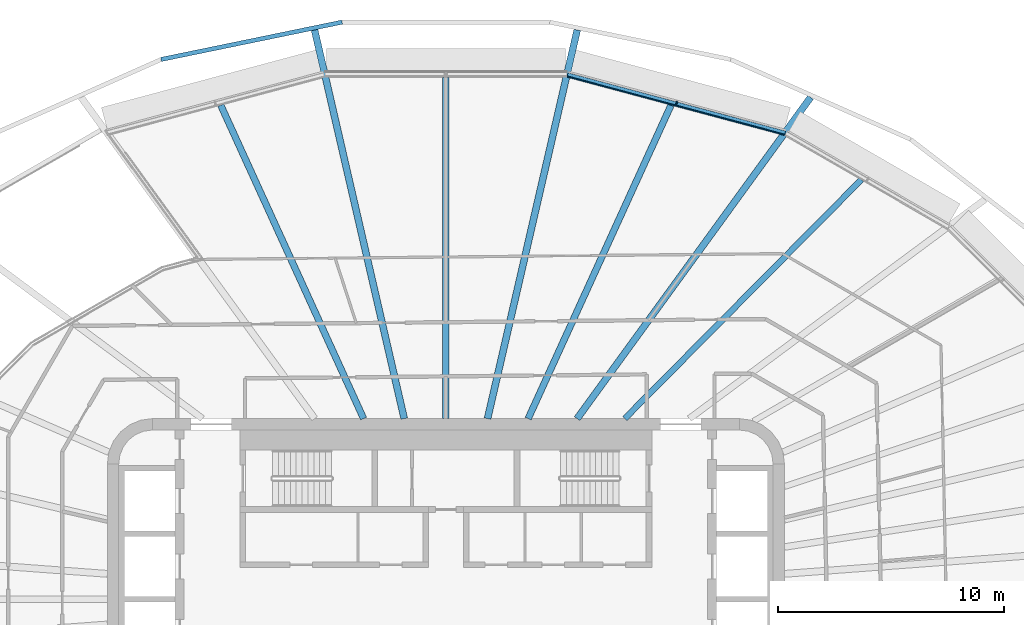
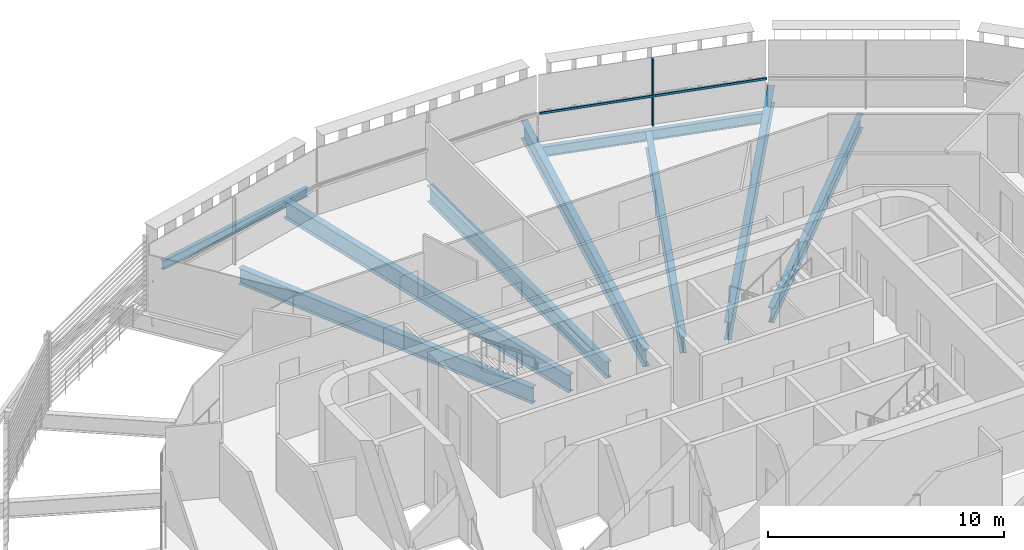
# One storey, part 6 of 23: 9 beams, 2 members, 1 element without a shape of its own.
"""IFC4 building model written with IfcOpenShell, lengths in metres."""

import ifcopenshell
import ifcopenshell.guid

model = None  # the IFC model being written
_history = None  # IfcOwnerHistory: only IFC2X3 demands one
_inside = {}  # id of a spatial element -> (the spatial element, [elements in it])
_under = {}  # id of a project, library or spatial element -> (it, [spatial elements below it])
_declared = {}  # id of a project -> (the project, [libraries it declares])
_typed = {}  # id of a type object -> (the type object, [elements of that type])
_made_of = {}  # id of a material, layer set ... -> (it, [elements and type objects made of it])


def new_model(schema):
    """Start an empty IFC model of exactly this schema.

    Asked for "IFC4X3", IfcOpenShell would pick the latest addendum, in which some entities
    have other attributes; the version numbers below select the first issue.
    IFC2X3 requires an IfcOwnerHistory on every rooted entity: one is made here for all.
    """
    global model, _history
    if schema == "IFC4X3":
        model = ifcopenshell.file(schema_version=(4, 3, 0, 0))
    else:
        model = ifcopenshell.file(schema=schema)
    _inside.clear()
    _under.clear()
    _declared.clear()
    _typed.clear()
    _made_of.clear()
    _history = None
    if model.schema == "IFC2X3":
        org = make("IfcOrganization", Name="unknown")
        user = make(
            "IfcPersonAndOrganization",
            ThePerson=make("IfcPerson", FamilyName="unknown"),
            TheOrganization=org,
        )
        app = make(
            "IfcApplication",
            ApplicationDeveloper=org,
            Version="unknown",
            ApplicationFullName="unknown",
            ApplicationIdentifier="unknown",
        )
        _history = make(
            "IfcOwnerHistory",
            OwningUser=user,
            OwningApplication=app,
            ChangeAction="ADDED",
            CreationDate=0,
        )
    return model


def make(cls, **values):
    """One entity of the class cls with the attributes given. An attribute that is None is left unset."""
    return model.create_entity(
        cls, **{name: value for name, value in values.items() if value is not None}
    )


def rooted(cls, **values):
    """An entity with a GlobalId (a new one), such as an element, a storey or a relation."""
    return make(cls, GlobalId=ifcopenshell.guid.new(), OwnerHistory=_history, **values)


def si_unit(unit_type, name, prefix=None):
    """IfcSIUnit, for example si_unit("LENGTHUNIT", "METRE", prefix="MILLI")."""
    return make("IfcSIUnit", UnitType=unit_type, Prefix=prefix, Name=name)


def assignment(units):
    """IfcUnitAssignment: the units of a project."""
    return None if units is None else make("IfcUnitAssignment", Units=units)


def point(xyz):
    """IfcCartesianPoint."""
    return None if xyz is None else make("IfcCartesianPoint", Coordinates=xyz)


def direction(xyz):
    """IfcDirection."""
    return None if xyz is None else make("IfcDirection", DirectionRatios=xyz)


def frame(location, z_axis=None, x_axis=None):
    """IfcAxis2Placement3D, a coordinate frame: its origin and axes. An axis left out is left unset."""
    return make(
        "IfcAxis2Placement3D",
        Location=point(location),
        Axis=direction(z_axis),
        RefDirection=direction(x_axis),
    )


def frame_2d(location, x_axis=None):
    """IfcAxis2Placement2D, a coordinate frame in the plane: its origin and x axis."""
    return make(
        "IfcAxis2Placement2D", Location=point(location), RefDirection=direction(x_axis)
    )


def origin():
    """The frame at (0, 0, 0) with its axes left unset."""
    return frame((0.0, 0.0, 0.0))


def origin_2d():
    """The frame at (0, 0) in the plane with its x axis left unset."""
    return frame_2d((0.0, 0.0))


def place(relative_to, where):
    """IfcLocalPlacement: puts the frame where relative to a parent placement (None: the world)."""
    return make(
        "IfcLocalPlacement", PlacementRelTo=relative_to, RelativePlacement=where
    )


def context(
    kind, dimensions, precision=None, world=None, true_north=None, identifier=None
):
    """IfcGeometricRepresentationContext, for example the 3D "Model" context."""
    return make(
        "IfcGeometricRepresentationContext",
        ContextIdentifier=identifier,
        ContextType=kind,
        CoordinateSpaceDimension=dimensions,
        Precision=precision,
        WorldCoordinateSystem=world,
        TrueNorth=true_north,
    )


def subcontext(parent, identifier, kind, view, scale=None):
    """IfcGeometricRepresentationSubContext, for example "Body" below "Model"."""
    return make(
        "IfcGeometricRepresentationSubContext",
        ContextIdentifier=identifier,
        ContextType=kind,
        ParentContext=parent,
        TargetScale=scale,
        TargetView=view,
    )


def project(units=None, contexts=None):
    """IfcProject with its units and contexts."""
    return rooted(
        "IfcProject",
        Name="project",
        RepresentationContexts=contexts,
        UnitsInContext=assignment(units),
    )


def spatial(cls, under=None, at=None, **own):
    """A site, building, storey or space (cls), placed at a placement, below another one or the project."""
    s = rooted(cls, ObjectPlacement=at, **own)
    if under is not None:
        _under.setdefault(under.id(), (under, []))[1].append(s)
    return s


def profile(cls, at=None, kind="AREA", **sizes):
    """A parametric profile (cls). Its sizes go by their IFC names, for example OverallWidth=200.0."""
    return make(cls, ProfileType=kind, Position=at, **sizes)


def rectangle(**sizes):
    """IfcRectangleProfileDef."""
    return profile("IfcRectangleProfileDef", **sizes)


def i_section(**sizes):
    """IfcIShapeProfileDef."""
    return profile("IfcIShapeProfileDef", **sizes)


def extrude(swept, where, along, depth):
    """IfcExtrudedAreaSolid: the profile swept, set in the frame where, extruded along a direction by depth."""
    return make(
        "IfcExtrudedAreaSolid",
        SweptArea=swept,
        Position=where,
        ExtrudedDirection=direction(along),
        Depth=depth,
    )


def shape(context_of_items, identifier, shape_type, items):
    """IfcShapeRepresentation: the items that make up one representation, for example the "Body"."""
    return make(
        "IfcShapeRepresentation",
        ContextOfItems=context_of_items,
        RepresentationIdentifier=identifier,
        RepresentationType=shape_type,
        Items=items,
    )


def material(Name=None, Category=None):
    """IfcMaterial."""
    return make("IfcMaterial", Name=Name, Category=Category)


def layer(
    of_material, thickness, ventilated=None, Name=None, Category=None, Priority=None
):
    """IfcMaterialLayer: one layer of a wall or slab, of a material (None: an air gap)."""
    return make(
        "IfcMaterialLayer",
        Material=of_material,
        LayerThickness=thickness,
        IsVentilated=ventilated,
        Name=Name,
        Category=Category,
        Priority=Priority,
    )


def layer_set(layers, Name=None):
    """IfcMaterialLayerSet."""
    return make("IfcMaterialLayerSet", MaterialLayers=layers, LayerSetName=Name)


def material_profile(
    of_material, cross_section, Name=None, Category=None, Priority=None
):
    """IfcMaterialProfile: a cross section and its material."""
    return make(
        "IfcMaterialProfile",
        Name=Name,
        Material=of_material,
        Profile=cross_section,
        Priority=Priority,
        Category=Category,
    )


def profile_set(profiles, Name=None, composite=None):
    """IfcMaterialProfileSet."""
    return make(
        "IfcMaterialProfileSet",
        Name=Name,
        MaterialProfiles=profiles,
        CompositeProfile=composite,
    )


def made_of(thing, what):
    """Note that an element or type object is made of a material, layer set ...; save() writes the relation."""
    if what is not None:
        _made_of.setdefault(what.id(), (what, []))[1].append(thing)
    return thing


def type_object(cls, material=None, **own):
    """A type object (cls), such as IfcWallType, which elements share."""
    return made_of(rooted(cls, **own), material)


def element(
    cls,
    number,
    at=None,
    inside=None,
    cuts=None,
    type_object=None,
    material=None,
    context=None,
    identifier="Body",
    shape_type=None,
    held_by="IfcProductDefinitionShape",
    body=None,
    shapes=None,
    **own,
):
    """One element of the class cls, such as IfcWall. Its Tag is "e" and its number.

    at: its placement. inside: the storey or other place that contains it. cuts: it is an
    opening in that element (IfcRelVoidsElement). A single representation is given by context,
    identifier, shape_type and body (its items); several are given by shapes. held_by: the class
    of the entity that holds the representations. save() writes the other relations.
    """
    e = rooted(cls, Tag="e%d" % number, ObjectPlacement=at, **own)
    if body is not None:
        shapes = [shape(context, identifier, shape_type, body)]
    if shapes is not None:
        e.Representation = make(held_by, Representations=shapes)
    if inside is not None:
        _inside.setdefault(inside.id(), (inside, []))[1].append(e)
    if cuts is not None:
        rooted(
            "IfcRelVoidsElement", RelatingBuildingElement=cuts, RelatedOpeningElement=e
        )
    if type_object is not None:
        _typed.setdefault(type_object.id(), (type_object, []))[1].append(e)
    return made_of(e, material)


def aggregate(whole, parts):
    """IfcRelAggregates: a whole, such as a stair, and the parts it consists of."""
    return rooted("IfcRelAggregates", RelatingObject=whole, RelatedObjects=parts)


def save(model, path):
    """Write the relations noted so far, then the file.

    IfcRelAggregates (storeys below a building ...), IfcRelContainedInSpatialStructure (elements
    in a storey), IfcRelDefinesByType, IfcRelAssociatesMaterial and IfcRelDeclares: one each for
    every whole, place, type object, material and project.
    """
    for whole, parts in _under.values():
        aggregate(whole, parts)
    for where, things in _inside.values():
        rooted(
            "IfcRelContainedInSpatialStructure",
            RelatedElements=things,
            RelatingStructure=where,
        )
    for kind, things in _typed.values():
        rooted("IfcRelDefinesByType", RelatedObjects=things, RelatingType=kind)
    for what, things in _made_of.values():
        rooted("IfcRelAssociatesMaterial", RelatedObjects=things, RelatingMaterial=what)
    for by, libraries in _declared.values():
        rooted("IfcRelDeclares", RelatingContext=by, RelatedDefinitions=libraries)
    model.write(path)


model = new_model("IFC4")

# Units and contexts
model_context = context("Model", 3, precision=1e-05, world=origin(), true_north=direction((0.0, 1.0)))
body_context = subcontext(model_context, "Body", "Model", "MODEL_VIEW")
ifc_project = project(units=[si_unit("LENGTHUNIT", "METRE"), si_unit("AREAUNIT", "SQUARE_METRE"), si_unit("VOLUMEUNIT", "CUBIC_METRE"), si_unit("PLANEANGLEUNIT", "RADIAN"), si_unit("MASSUNIT", "GRAM", prefix="KILO")], contexts=[model_context])

# Site, building, storey
site_placement = place(None, origin())
site = spatial("IfcSite", under=ifc_project, at=site_placement, CompositionType="ELEMENT")
building_placement = place(site_placement, origin())
building = spatial("IfcBuilding", under=site, at=building_placement, Name="Sahrelin Media Tower", CompositionType="ELEMENT")
storey_placement = place(building_placement, frame((0.0, 0.0, 173.60009765625)))
storey = spatial("IfcBuildingStorey", under=building, at=storey_placement, Name="L36", CompositionType="ELEMENT", Elevation=173.60009765625)

# Beam
ifc_material_1 = material(Name="Steel S355", Category="steel")
ifc_material_profile_1 = material_profile(ifc_material_1, i_section(OverallWidth=0.208740234375, OverallDepth=0.5283203125, WebThickness=0.009521484375, FlangeThickness=0.01318359375, FilletRadius=0.0126953125, at=origin_2d()), Name="UB 533x210x82")
ifc_profile_set_1 = profile_set([ifc_material_profile_1], Name="Steel S355")
beam_type_1 = type_object("IfcBeamType", Name="Edge beam EB6", PredefinedType="BEAM", material=ifc_profile_set_1)
beam_1_placement = place(storey_placement, frame((5.38818359375, 23.22265625, -0.414306640625), z_axis=(0.965925666442, -0.25881964166, 0.0), x_axis=(0.25881964166, 0.965925666442, 0.0)))
element("IfcBeam", 1, at=beam_1_placement, inside=storey, type_object=beam_type_1, Name="Edge beam L36-16", PredefinedType="BEAM", context=body_context, shape_type="SweptSolid", body=[
    extrude(i_section(OverallWidth=0.208740234375, OverallDepth=0.5283203125, WebThickness=0.009521484375, FlangeThickness=0.01318359375, FilletRadius=0.0126953125, at=origin_2d()), origin(), (0.0, 0.0, 1.0), 9.97998046875),
])

# Curtain wall, member
ifc_material_2 = material(Name="Champagne anodised aluminium 6063-T6", Category="aluminium")
ifc_layer = layer(ifc_material_2, 0.14990234375)
ifc_layer_set = layer_set([ifc_layer], Name="Tower ribbon curtain wall")
curtain_wall_type = type_object("IfcCurtainWallType", Name="Tower ribbon curtain wall", PredefinedType="NOTDEFINED", material=ifc_layer_set)
curtain_wall_placement = place(storey_placement, frame((10.2470703125, 22.076171875, 0.0), z_axis=(0.0, 0.0, 1.0), x_axis=(1.0, 0.0, 0.0)))
curtain_wall = element("IfcCurtainWall", 2, at=curtain_wall_placement, inside=storey, type_object=curtain_wall_type, Name="L36:CW:L36-05", PredefinedType="NOTDEFINED")
ifc_material_profile_2 = material_profile(ifc_material_2, rectangle(XDim=0.06005859375, YDim=0.175048828125, at=origin_2d()), Name="Mullion 60x175")
ifc_profile_set_2 = profile_set([ifc_material_profile_2], Name="Champagne anodised aluminium 6063-T6")
member_type_1 = type_object("IfcMemberType", Name="Mullion 60x175 CW1B", PredefinedType="MULLION", material=ifc_profile_set_2)
member_1_placement = place(storey_placement, frame((10.218994140625, 21.97216796875, 0.0), z_axis=(0.0, 0.0, 1.0), x_axis=(-0.965925374563, 0.258820730961, 0.0)))
member_1 = element("IfcMember", 3, at=member_1_placement, type_object=member_type_1, Name="L36:CWM:L36-05", PredefinedType="MULLION", context=body_context, shape_type="SweptSolid", body=[
    extrude(rectangle(XDim=0.06005859375, YDim=0.175048828125, at=origin_2d()), origin(), (0.0, 0.0, 1.0), 3.448486328125),
])

# Beams
ifc_material_profile_3 = material_profile(ifc_material_1, i_section(OverallWidth=0.30322265625, OverallDepth=0.903076171875, WebThickness=0.01513671875, FlangeThickness=0.020263671875, FilletRadius=0.01904296875, at=origin_2d()), Name="UB 914x305x201")
ifc_profile_set_3 = profile_set([ifc_material_profile_3], Name="Steel S355")
beam_type_2 = type_object("IfcBeamType", Name="Radial primary beam PB11", PredefinedType="BEAM", material=ifc_profile_set_3)
beam_2_placement = place(storey_placement, frame((5.814453125, 8.0, -0.6015625), z_axis=(0.587929171174, 0.808912411626, 0.0), x_axis=(-0.808912411626, 0.587929171174, 0.0)))
element("IfcBeam", 4, at=beam_2_placement, inside=storey, type_object=beam_type_2, Name="Radial beam L36-05", PredefinedType="BEAM", context=body_context, shape_type="SweptSolid", body=[
    extrude(i_section(OverallWidth=0.30322265625, OverallDepth=0.903076171875, WebThickness=0.01513671875, FlangeThickness=0.020263671875, FilletRadius=0.01904296875, at=origin_2d()), origin(), (0.0, 0.0, 1.0), 17.599365234375),
])
for number, where, z_axis, x_axis, name in (
    (5, (1.845947265625, 8.0, -0.6015625), (0.2248342816, 0.974397016527, 0.0), (-0.974397016527, 0.2248342816, 0.0), "Radial beam L36-06"),
    (6, (-1.845947265625, 8.0, -0.6015625), (-0.2248342816, 0.974397016527, 0.0), (-0.974397016527, -0.2248342816, 0.0), "Radial beam L36-07"),
):
    element("IfcBeam", number, at=place(storey_placement, frame(where, z_axis=z_axis, x_axis=x_axis)), inside=storey, type_object=beam_type_2, Name=name, PredefinedType="BEAM", context=body_context, shape_type="SweptSolid", body=[
        extrude(i_section(OverallWidth=0.30322265625, OverallDepth=0.903076171875, WebThickness=0.01513671875, FlangeThickness=0.020263671875, FilletRadius=0.01904296875, at=origin_2d()), origin(), (0.0, 0.0, 1.0), 17.67138671875),
    ])
ifc_material_profile_4 = material_profile(ifc_material_1, i_section(OverallWidth=0.291748046875, OverallDepth=0.8349609375, WebThickness=0.013916015625, FlangeThickness=0.018798828125, FilletRadius=0.017822265625, at=origin_2d()), Name="UB 838x292x176")
ifc_profile_set_4 = profile_set([ifc_material_profile_4], Name="Steel S355")
beam_type_3 = type_object("IfcBeamType", Name="Radial secondary beam SB10", PredefinedType="BEAM", material=ifc_profile_set_4)
beam_3_placement = place(storey_placement, frame((3.64599609375, 8.0, -0.567626953125), z_axis=(0.414721240901, 0.909948510821, 0.0), x_axis=(-0.909948510821, 0.414721240901, 0.0)))
element("IfcBeam", 7, at=beam_3_placement, inside=storey, type_object=beam_type_3, Name="Secondary beam L36-05", PredefinedType="BEAM", context=body_context, shape_type="SweptSolid", body=[
    extrude(i_section(OverallWidth=0.291748046875, OverallDepth=0.8349609375, WebThickness=0.013916015625, FlangeThickness=0.018798828125, FilletRadius=0.017822265625, at=origin_2d()), origin(), (0.0, 0.0, 1.0), 15.260009765625),
])
beam_4_placement = place(storey_placement, frame((0.0, 8.0, -0.567626953125), z_axis=(0.0, 1.0, 0.0), x_axis=(-1.0, 0.0, 0.0)))
element("IfcBeam", 8, at=beam_4_placement, inside=storey, type_object=beam_type_3, Name="Secondary beam L36-06", PredefinedType="BEAM", context=body_context, shape_type="SweptSolid", body=[
    extrude(i_section(OverallWidth=0.291748046875, OverallDepth=0.8349609375, WebThickness=0.013916015625, FlangeThickness=0.018798828125, FilletRadius=0.017822265625, at=origin_2d()), origin(), (0.0, 0.0, 1.0), 15.112548828125),
])
beam_5_placement = place(storey_placement, frame((-3.64599609375, 8.0, -0.567626953125), z_axis=(-0.414721240901, 0.909948510821, 0.0), x_axis=(-0.909948510821, -0.414721240901, 0.0)))
element("IfcBeam", 9, at=beam_5_placement, inside=storey, type_object=beam_type_3, Name="Secondary beam L36-07", PredefinedType="BEAM", context=body_context, shape_type="SweptSolid", body=[
    extrude(i_section(OverallWidth=0.291748046875, OverallDepth=0.8349609375, WebThickness=0.013916015625, FlangeThickness=0.018798828125, FilletRadius=0.017822265625, at=origin_2d()), origin(), (0.0, 0.0, 1.0), 15.260009765625),
])
ifc_material_profile_5 = material_profile(ifc_material_1, i_section(OverallWidth=0.26513671875, OverallDepth=0.75390625, WebThickness=0.0126953125, FlangeThickness=0.017578125, FilletRadius=0.0166015625, at=origin_2d()), Name="UB 762x267x147")
ifc_profile_set_5 = profile_set([ifc_material_profile_5], Name="Steel S355")
beam_type_4 = type_object("IfcBeamType", Name="Radial secondary beam SB9", PredefinedType="BEAM", material=ifc_profile_set_5)
beam_6_placement = place(storey_placement, frame((7.923583984375, 8.0, -0.527099609375), z_axis=(0.703714258153, 0.710483105269, 0.0), x_axis=(-0.710483105269, 0.703714258153, 0.0)))
element("IfcBeam", 10, at=beam_6_placement, inside=storey, type_object=beam_type_4, Name="Secondary beam L36-04", PredefinedType="BEAM", context=body_context, shape_type="SweptSolid", body=[
    extrude(i_section(OverallWidth=0.26513671875, OverallDepth=0.75390625, WebThickness=0.0126953125, FlangeThickness=0.017578125, FilletRadius=0.0166015625, at=origin_2d()), origin(), (0.0, 0.0, 1.0), 14.896240234375),
])
ifc_material_profile_6 = material_profile(ifc_material_1, i_section(OverallWidth=0.1904296875, OverallDepth=0.45703125, WebThickness=0.009033203125, FlangeThickness=0.014404296875, FilletRadius=0.01025390625, at=origin_2d()), Name="UB 457x191x74")
ifc_profile_set_6 = profile_set([ifc_material_profile_6], Name="Steel S355")
beam_type_5 = type_object("IfcBeamType", Name="Tie chord TC5", PredefinedType="BEAM", material=ifc_profile_set_6)
beam_7_placement = place(storey_placement, frame((-4.6015625, 25.567138671875, -0.378662109375), z_axis=(-0.979391540404, -0.201970816172, 0.0), x_axis=(0.201970816172, -0.979391540404, 0.0)))
element("IfcBeam", 11, at=beam_7_placement, inside=storey, type_object=beam_type_5, Name="Tie chord L36-07", PredefinedType="BEAM", context=body_context, shape_type="SweptSolid", body=[
    extrude(i_section(OverallWidth=0.1904296875, OverallDepth=0.45703125, WebThickness=0.009033203125, FlangeThickness=0.014404296875, FilletRadius=0.01025390625, at=origin_2d()), origin(), (0.0, 0.0, 1.0), 8.190673828125),
])

# Member
ifc_material_profile_7 = material_profile(ifc_material_2, rectangle(XDim=0.050048828125, YDim=0.110107421875, at=origin_2d()), Name="Transom 50x110")
ifc_profile_set_7 = profile_set([ifc_material_profile_7], Name="Champagne anodised aluminium 6063-T6")
member_type_2 = type_object("IfcMemberType", Name="Transom 50x110 CW1B", PredefinedType="USERDEFINED", material=ifc_profile_set_7)
member_2_placement = place(storey_placement, frame((14.99462890625, 20.576171875, 1.599853515625), z_axis=(-0.965927128599, 0.258814184766, 0.0), x_axis=(-0.258814184766, -0.965927128599, 0.0)))
member_2 = element("IfcMember", 12, at=member_2_placement, type_object=member_type_2, Name="L36:CWT:L36-05", ObjectType="TRANSOM", PredefinedType="USERDEFINED", context=body_context, shape_type="SweptSolid", body=[
    extrude(rectangle(XDim=0.050048828125, YDim=0.110107421875, at=origin_2d()), origin(), (0.0, 0.0, 1.0), 9.947998046875),
])

aggregate(curtain_wall, [member_1, member_2])

save(model, "model.ifc")
